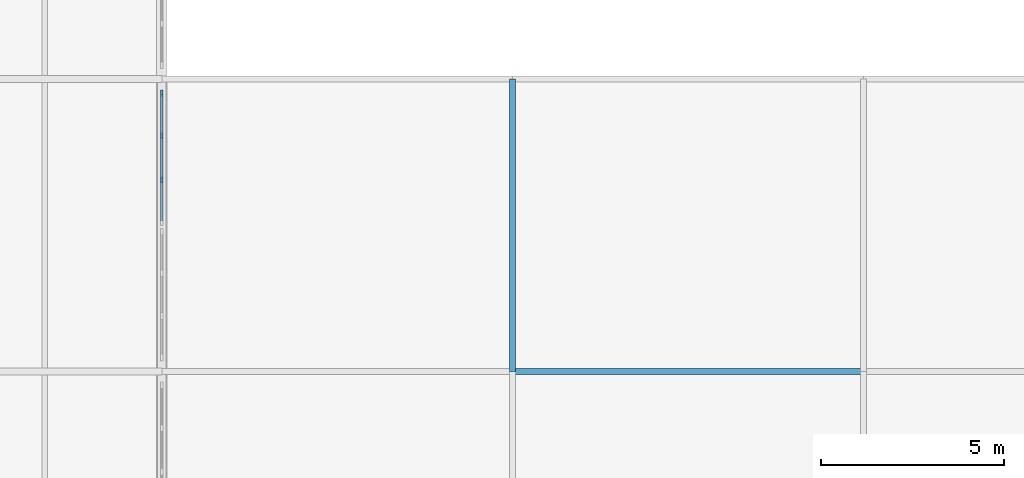
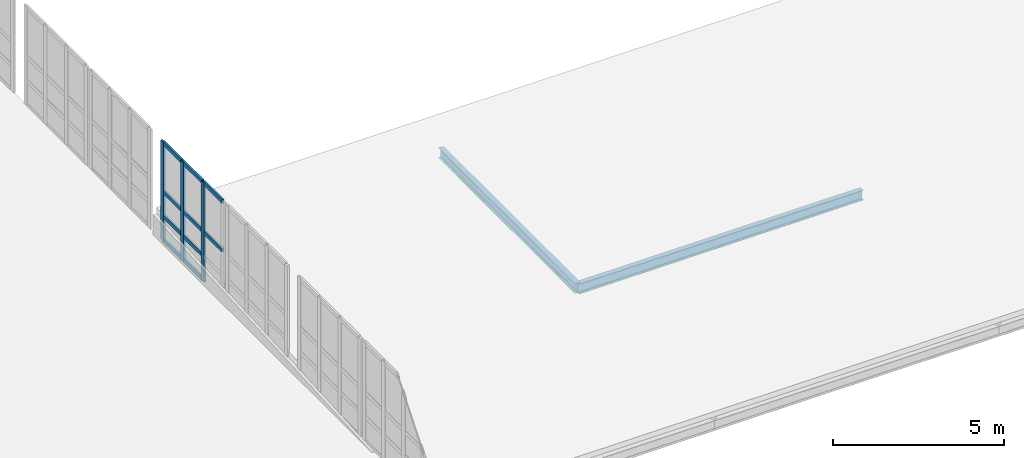
# One storey, part 29 of 73: 13 members, 2 beams, 1 element without a shape of its own.
"""IFC4 building model written with IfcOpenShell, lengths in metres."""

from ifc_helpers import new_model, si_unit, direction, frame, origin, origin_2d, place, context, subcontext, project, spatial, rectangle, i_section, extrude, material, layer, layer_set, material_profile, profile_set, type_object, element, aggregate, save


model = new_model("IFC4")

# Units and contexts
model_context = context("Model", 3, precision=1e-05, world=origin(), true_north=direction((0.0, 1.0)))
body_context = subcontext(model_context, "Body", "Model", "MODEL_VIEW")
ifc_project = project(units=[si_unit("LENGTHUNIT", "METRE"), si_unit("AREAUNIT", "SQUARE_METRE"), si_unit("VOLUMEUNIT", "CUBIC_METRE"), si_unit("PLANEANGLEUNIT", "RADIAN"), si_unit("MASSUNIT", "GRAM", prefix="KILO")], contexts=[model_context])

# Site, building, storey
site_placement = place(None, origin())
site = spatial("IfcSite", under=ifc_project, at=site_placement, CompositionType="ELEMENT")
building_placement = place(site_placement, origin())
building = spatial("IfcBuilding", under=site, at=building_placement, Name="Alderhovde Museum", CompositionType="ELEMENT")
storey_placement = place(building_placement, frame((0.0, 0.0, 12.89990234375)))
storey = spatial("IfcBuildingStorey", under=building, at=storey_placement, Name="L03", CompositionType="ELEMENT", Elevation=12.89990234375)

# Beams
ifc_material_1 = material(Name="Steel S355J2", Category="steel")
ifc_material_profile_1 = material_profile(ifc_material_1, i_section(OverallWidth=0.169921875, OverallDepth=0.360107421875, WebThickness=0.008056640625, FlangeThickness=0.0126953125, FilletRadius=0.01806640625, at=origin_2d()), Name="IPE 360")
ifc_profile_set_1 = profile_set([ifc_material_profile_1], Name="Steel S355J2")
beam_type = type_object("IfcBeamType", Name="BM-IPE360", PredefinedType="BEAM", material=ifc_profile_set_1)
beam_1_placement = place(storey_placement, frame((124.800048828125, 40.0, -0.43994140625), z_axis=(0.0, 1.0, 0.0), x_axis=(-1.0, 0.0, 0.0)))
element("IfcBeam", 1, at=beam_1_placement, inside=storey, type_object=beam_type, Name="L03 South Step Roof Tie X=124.8", PredefinedType="BEAM", context=body_context, shape_type="SweptSolid", body=[
    extrude(i_section(OverallWidth=0.169921875, OverallDepth=0.360107421875, WebThickness=0.008056640625, FlangeThickness=0.0126953125, FilletRadius=0.01806640625, at=origin_2d()), origin(), (0.0, 0.0, 1.0), 8.0),
])
beam_2_placement = place(storey_placement, frame((124.800048828125, 40.0, -0.43994140625), z_axis=(1.0, 0.0, 0.0), x_axis=(0.0, 1.0, 0.0)))
element("IfcBeam", 2, at=beam_2_placement, inside=storey, type_object=beam_type, Name="L03 South Step Roof Beam Y=40", PredefinedType="BEAM", context=body_context, shape_type="SweptSolid", body=[
    extrude(i_section(OverallWidth=0.169921875, OverallDepth=0.360107421875, WebThickness=0.008056640625, FlangeThickness=0.0126953125, FilletRadius=0.01806640625, at=origin_2d()), origin(), (0.0, 0.0, 1.0), 9.599853515625),
])

# Curtain wall, members
ifc_material_2 = material(Name="Triple-Glazed Bronze-Anodised Curtain Wall", Category="glass")
ifc_layer = layer(ifc_material_2, 0.179931640625)
ifc_layer_set = layer_set([ifc_layer], Name="Triple-Glazed Bronze-Anodised Curtain Wall")
curtain_wall_type = type_object("IfcCurtainWallType", Name="CW-UNIT-360x354", PredefinedType="USERDEFINED", material=ifc_layer_set)
curtain_wall_placement = place(storey_placement, origin())
curtain_wall = element("IfcCurtainWall", 3, at=curtain_wall_placement, inside=storey, type_object=curtain_wall_type, Name="L03 Unitised Curtain Wall 71", ObjectType="UNITISED CURTAIN WALL", PredefinedType="USERDEFINED")
ifc_material_3 = material(Name="Bronze-Anodised Aluminium EN AW-6063-T6", Category="aluminium")
ifc_material_profile_2 = material_profile(ifc_material_3, rectangle(XDim=0.06494140625, YDim=0.179931640625, at=origin_2d()), Name="MULLION 65x180")
ifc_profile_set_2 = profile_set([ifc_material_profile_2], Name="Bronze-Anodised Aluminium EN AW-6063-T6")
member_type_1 = type_object("IfcMemberType", Name="CWM-65x180", PredefinedType="MULLION", material=ifc_profile_set_2)
member_1_placement = place(storey_placement, frame((115.199951171875, 45.25, 0.0), z_axis=(0.0, 0.0, 1.0), x_axis=(-1.0, 0.0, 0.0)))
member_1 = element("IfcMember", 4, at=member_1_placement, type_object=member_type_1, Name="CW20 mullion 2", PredefinedType="MULLION", context=body_context, shape_type="SweptSolid", body=[
    extrude(rectangle(XDim=0.06494140625, YDim=0.179931640625, at=origin_2d()), origin(), (0.0, 0.0, 1.0), 3.5400390625),
])
member_2_placement = place(storey_placement, frame((115.199951171875, 46.449951171875, 0.0), z_axis=(0.0, 0.0, 1.0), x_axis=(-1.0, 0.0, 0.0)))
member_2 = element("IfcMember", 5, at=member_2_placement, type_object=member_type_1, Name="CW20 mullion 3", PredefinedType="MULLION", context=body_context, shape_type="SweptSolid", body=[
    extrude(rectangle(XDim=0.06494140625, YDim=0.179931640625, at=origin_2d()), origin(), (0.0, 0.0, 1.0), 3.5400390625),
])
member_3_placement = place(storey_placement, frame((115.199951171875, 47.617431640625, 0.0), z_axis=(0.0, 0.0, 1.0), x_axis=(-1.0, 0.0, 0.0)))
member_3 = element("IfcMember", 6, at=member_3_placement, type_object=member_type_1, Name="CW20 mullion 4", PredefinedType="MULLION", context=body_context, shape_type="SweptSolid", body=[
    extrude(rectangle(XDim=0.06494140625, YDim=0.179931640625, at=origin_2d()), origin(), (0.0, 0.0, 1.0), 3.5400390625),
])
ifc_material_4 = material(Name="Bronze-Anodised Aluminium EN AW-6063-T6", Category="aluminium")
ifc_material_profile_3 = material_profile(ifc_material_4, rectangle(XDim=0.06494140625, YDim=0.139892578125, at=origin_2d()), Name="TRANSOM 65x140")
ifc_profile_set_3 = profile_set([ifc_material_profile_3], Name="Bronze-Anodised Aluminium EN AW-6063-T6")
member_type_2 = type_object("IfcMemberType", Name="CWT-65x140", PredefinedType="USERDEFINED", material=ifc_profile_set_3)
member_4_placement = place(storey_placement, frame((115.199951171875, 44.114990234375, 1.77001953125), z_axis=(0.0, 1.0, 0.0), x_axis=(-1.0, 0.0, 0.0)))
member_4 = element("IfcMember", 7, at=member_4_placement, type_object=member_type_2, Name="CW20 transom 1.3", ObjectType="TRANSOM", PredefinedType="USERDEFINED", context=body_context, shape_type="SweptSolid", body=[
    extrude(rectangle(XDim=0.06494140625, YDim=0.139892578125, at=origin_2d()), origin(), (0.0, 0.0, 1.0), 1.1025390625),
])
member_5_placement = place(storey_placement, frame((115.199951171875, 44.114990234375, 3.507568359375), z_axis=(0.0, 1.0, 0.0), x_axis=(-1.0, 0.0, 0.0)))
member_5 = element("IfcMember", 8, at=member_5_placement, type_object=member_type_2, Name="CW20 transom 1.4", ObjectType="TRANSOM", PredefinedType="USERDEFINED", context=body_context, shape_type="SweptSolid", body=[
    extrude(rectangle(XDim=0.06494140625, YDim=0.139892578125, at=origin_2d()), origin(), (0.0, 0.0, 1.0), 1.1025390625),
])
member_6_placement = place(storey_placement, frame((115.199951171875, 45.282470703125, 0.03271484375), z_axis=(0.0, 1.0, 0.0), x_axis=(-1.0, 0.0, 0.0)))
member_6 = element("IfcMember", 9, at=member_6_placement, type_object=member_type_2, Name="CW20 transom 2.1", ObjectType="TRANSOM", PredefinedType="USERDEFINED", context=body_context, shape_type="SweptSolid", body=[
    extrude(rectangle(XDim=0.06494140625, YDim=0.139892578125, at=origin_2d()), origin(), (0.0, 0.0, 1.0), 1.135009765625),
])
member_7_placement = place(storey_placement, frame((115.199951171875, 45.282470703125, 0.900146484375), z_axis=(0.0, 1.0, 0.0), x_axis=(-1.0, 0.0, 0.0)))
member_7 = element("IfcMember", 10, at=member_7_placement, type_object=member_type_2, Name="CW20 transom 2.2", ObjectType="TRANSOM", PredefinedType="USERDEFINED", context=body_context, shape_type="SweptSolid", body=[
    extrude(rectangle(XDim=0.06494140625, YDim=0.139892578125, at=origin_2d()), origin(), (0.0, 0.0, 1.0), 1.135009765625),
])
member_8_placement = place(storey_placement, frame((115.199951171875, 45.282470703125, 1.77001953125), z_axis=(0.0, 1.0, 0.0), x_axis=(-1.0, 0.0, 0.0)))
member_8 = element("IfcMember", 11, at=member_8_placement, type_object=member_type_2, Name="CW20 transom 2.3", ObjectType="TRANSOM", PredefinedType="USERDEFINED", context=body_context, shape_type="SweptSolid", body=[
    extrude(rectangle(XDim=0.06494140625, YDim=0.139892578125, at=origin_2d()), origin(), (0.0, 0.0, 1.0), 1.135009765625),
])
member_9_placement = place(storey_placement, frame((115.199951171875, 45.282470703125, 3.507568359375), z_axis=(0.0, 1.0, 0.0), x_axis=(-1.0, 0.0, 0.0)))
member_9 = element("IfcMember", 12, at=member_9_placement, type_object=member_type_2, Name="CW20 transom 2.4", ObjectType="TRANSOM", PredefinedType="USERDEFINED", context=body_context, shape_type="SweptSolid", body=[
    extrude(rectangle(XDim=0.06494140625, YDim=0.139892578125, at=origin_2d()), origin(), (0.0, 0.0, 1.0), 1.135009765625),
])
member_10_placement = place(storey_placement, frame((115.199951171875, 46.482421875, 0.03271484375), z_axis=(0.0, 1.0, 0.0), x_axis=(-1.0, 0.0, 0.0)))
member_10 = element("IfcMember", 13, at=member_10_placement, type_object=member_type_2, Name="CW20 transom 3.1", ObjectType="TRANSOM", PredefinedType="USERDEFINED", context=body_context, shape_type="SweptSolid", body=[
    extrude(rectangle(XDim=0.06494140625, YDim=0.139892578125, at=origin_2d()), origin(), (0.0, 0.0, 1.0), 1.1025390625),
])
member_11_placement = place(storey_placement, frame((115.199951171875, 46.482421875, 0.900146484375), z_axis=(0.0, 1.0, 0.0), x_axis=(-1.0, 0.0, 0.0)))
member_11 = element("IfcMember", 14, at=member_11_placement, type_object=member_type_2, Name="CW20 transom 3.2", ObjectType="TRANSOM", PredefinedType="USERDEFINED", context=body_context, shape_type="SweptSolid", body=[
    extrude(rectangle(XDim=0.06494140625, YDim=0.139892578125, at=origin_2d()), origin(), (0.0, 0.0, 1.0), 1.1025390625),
])
member_12_placement = place(storey_placement, frame((115.199951171875, 46.482421875, 1.77001953125), z_axis=(0.0, 1.0, 0.0), x_axis=(-1.0, 0.0, 0.0)))
member_12 = element("IfcMember", 15, at=member_12_placement, type_object=member_type_2, Name="CW20 transom 3.3", ObjectType="TRANSOM", PredefinedType="USERDEFINED", context=body_context, shape_type="SweptSolid", body=[
    extrude(rectangle(XDim=0.06494140625, YDim=0.139892578125, at=origin_2d()), origin(), (0.0, 0.0, 1.0), 1.1025390625),
])
member_13_placement = place(storey_placement, frame((115.199951171875, 46.482421875, 3.507568359375), z_axis=(0.0, 1.0, 0.0), x_axis=(-1.0, 0.0, 0.0)))
member_13 = element("IfcMember", 16, at=member_13_placement, type_object=member_type_2, Name="CW20 transom 3.4", ObjectType="TRANSOM", PredefinedType="USERDEFINED", context=body_context, shape_type="SweptSolid", body=[
    extrude(rectangle(XDim=0.06494140625, YDim=0.139892578125, at=origin_2d()), origin(), (0.0, 0.0, 1.0), 1.1025390625),
])
aggregate(curtain_wall, [member_1, member_2, member_3, member_4, member_5, member_6, member_7, member_8, member_9, member_10, member_11, member_12, member_13])

save(model, "model.ifc")
